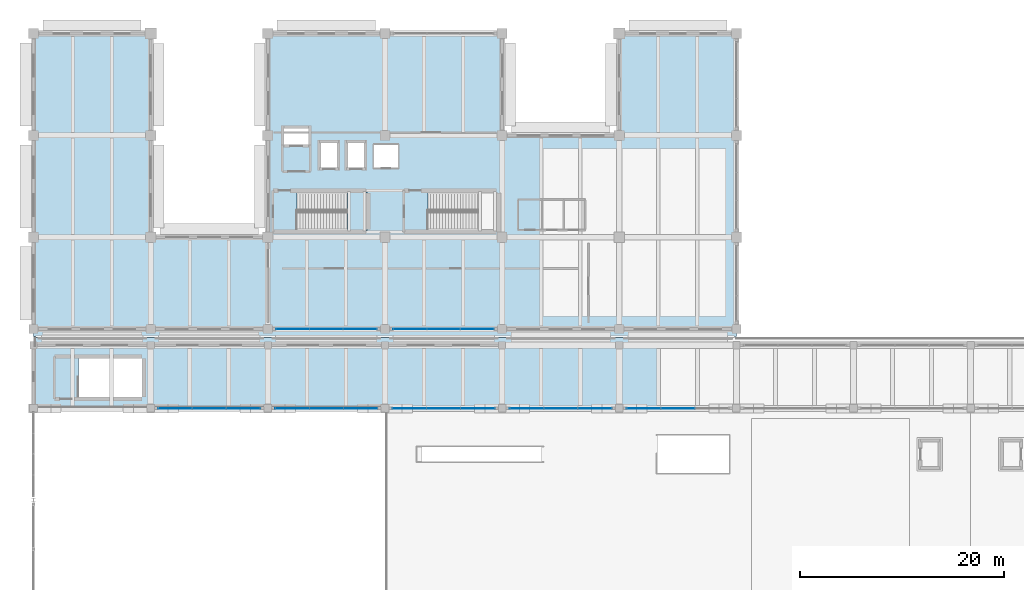
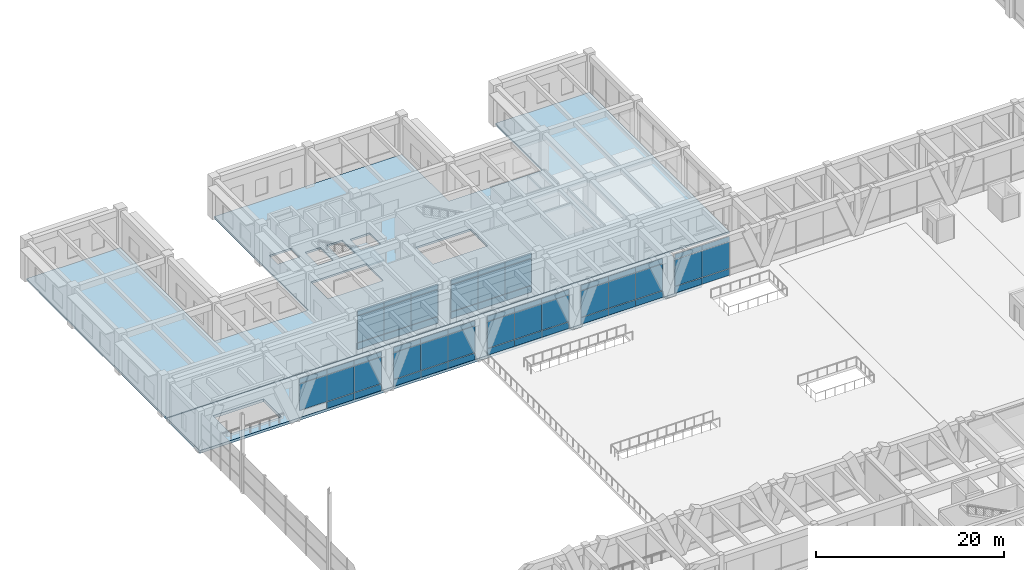
# One storey, part 117 of 148: 59 plates, 3 slabs, 8 elements without a shape of their own.
"""IFC4 building model written with IfcOpenShell, lengths in metres."""

from ifc_helpers import new_model, si_unit, direction, frame, origin, origin_2d, place, context, subcontext, project, spatial, polyline, rectangle, outline, extrude, material, layer, layer_set, type_object, element, aggregate, save


model = new_model("IFC4")

# Units and contexts
model_context = context("Model", 3, precision=1e-05, world=origin(), true_north=direction((0.0, 1.0)))
body_context = subcontext(model_context, "Body", "Model", "MODEL_VIEW")
ifc_project = project(units=[si_unit("LENGTHUNIT", "METRE"), si_unit("AREAUNIT", "SQUARE_METRE"), si_unit("VOLUMEUNIT", "CUBIC_METRE"), si_unit("PLANEANGLEUNIT", "RADIAN"), si_unit("MASSUNIT", "GRAM", prefix="KILO")], contexts=[model_context])

# Site, building, storey
site_placement = place(None, origin())
site = spatial("IfcSite", under=ifc_project, at=site_placement, CompositionType="ELEMENT")
building_placement = place(site_placement, origin())
building = spatial("IfcBuilding", under=site, at=building_placement, Name="Ologun Quay Terminus", CompositionType="ELEMENT")
storey_placement = place(building_placement, frame((0.0, 0.0, 8.39990234375)))
storey = spatial("IfcBuildingStorey", under=building, at=storey_placement, Name="L02", CompositionType="ELEMENT", Elevation=8.39990234375)

# Slab
ifc_material_1 = material(Name="Concrete C40/50", Category="concrete")
ifc_layer_1 = layer(ifc_material_1, 0.35009765625)
ifc_layer_set_1 = layer_set([ifc_layer_1], Name="Concrete C40/50")
slab_type_1 = type_object("IfcSlabType", Name="Elevated Concourse Deck Slab 350", PredefinedType="FLOOR", material=ifc_layer_set_1)
slab_1_placement = place(storey_placement, frame((0.0, 0.0, -0.349853515625)))
element("IfcSlab", 1, at=slab_1_placement, inside=storey, type_object=slab_type_1, Name="SL-CON North Concourse Courtyard Overlook Slab 1", PredefinedType="FLOOR", context=body_context, shape_type="SweptSolid", body=[
    extrude(outline(polyline([(0.0, 78.0), (61.5, 78.0), (61.5, 84.96240234375), (0.0, 84.96240234375), (0.0, 78.0)]), holes=[polyline([(4.429931640625, 79.10009765625), (4.429931640625, 82.89990234375), (10.64990234375, 82.89990234375), (10.64990234375, 79.10009765625), (4.429931640625, 79.10009765625)])]), origin(), (0.0, 0.0, 1.0), 0.349853515625),
])

# Curtain wall, plates
ifc_material_2 = material(Name="Aluminium 6063-T6", Category="aluminium")
curtain_wall_type_1 = type_object("IfcCurtainWallType", Name="Train Shed North Clerestory Curtain Wall 10700x4850", PredefinedType="USERDEFINED", material=ifc_material_2)
curtain_wall_1_placement = place(storey_placement, origin())
curtain_wall_1 = element("IfcCurtainWall", 2, at=curtain_wall_1_placement, inside=storey, type_object=curtain_wall_type_1, Name="CW-09 Curtain Wall CW-L02-047", ObjectType="UNITISED CURTAIN WALL", PredefinedType="USERDEFINED")
ifc_material_3 = material(Name="Aluminium 6063-T6", Category="aluminium")
ifc_layer_2 = layer(ifc_material_3, 0.050048828125)
ifc_layer_set_2 = layer_set([ifc_layer_2], Name="Aluminium 6063-T6")
plate_type_1 = type_object("IfcPlateType", Name="Insulated Aluminium Shadow-Box Spandrel 50", PredefinedType="CURTAIN_PANEL", material=ifc_layer_set_2)
plate_1_placement = place(storey_placement, frame((17.25, 78.0, 0.0302734375), z_axis=(0.0, 0.0, 1.0), x_axis=(1.0, 0.0, 0.0)))
plate_1 = element("IfcPlate", 3, at=plate_1_placement, type_object=plate_type_1, Name="CW-L02-047 Panel B2-1", PredefinedType="CURTAIN_PANEL", context=body_context, shape_type="SweptSolid", body=[
    extrude(rectangle(XDim=3.336669921875, YDim=0.050048828125, at=origin_2d()), origin(), (0.0, 0.0, 1.0), 0.840087890625),
])
plate_2_placement = place(storey_placement, frame((20.586669921875, 78.0, 0.0302734375), z_axis=(0.0, 0.0, 1.0), x_axis=(1.0, 0.0, 0.0)))
plate_2 = element("IfcPlate", 4, at=plate_2_placement, type_object=plate_type_1, Name="CW-L02-047 Panel B3-1", PredefinedType="CURTAIN_PANEL", context=body_context, shape_type="SweptSolid", body=[
    extrude(rectangle(XDim=3.336669921875, YDim=0.050048828125, at=origin_2d()), origin(), (0.0, 0.0, 1.0), 0.840087890625),
])

curtain_wall_2_placement = place(storey_placement, origin())
curtain_wall_2 = element("IfcCurtainWall", 5, at=curtain_wall_2_placement, inside=storey, type_object=curtain_wall_type_1, Name="CW-09 Curtain Wall CW-L02-049", ObjectType="UNITISED CURTAIN WALL", PredefinedType="USERDEFINED")
plate_3_placement = place(storey_placement, frame((25.413330078125, 78.0, 0.0302734375), z_axis=(0.0, 0.0, 1.0), x_axis=(1.0, 0.0, 0.0)))
plate_3 = element("IfcPlate", 6, at=plate_3_placement, type_object=plate_type_1, Name="CW-L02-049 Panel B1-1", PredefinedType="CURTAIN_PANEL", context=body_context, shape_type="SweptSolid", body=[
    extrude(rectangle(XDim=3.336669921875, YDim=0.050048828125, at=origin_2d()), origin(), (0.0, 0.0, 1.0), 0.840087890625),
])
plate_4_placement = place(storey_placement, frame((28.75, 78.0, 0.0302734375), z_axis=(0.0, 0.0, 1.0), x_axis=(1.0, 0.0, 0.0)))
plate_4 = element("IfcPlate", 7, at=plate_4_placement, type_object=plate_type_1, Name="CW-L02-049 Panel B2-1", PredefinedType="CURTAIN_PANEL", context=body_context, shape_type="SweptSolid", body=[
    extrude(rectangle(XDim=3.336669921875, YDim=0.050048828125, at=origin_2d()), origin(), (0.0, 0.0, 1.0), 0.840087890625),
])
plate_5_placement = place(storey_placement, frame((32.086669921875, 78.0, 0.0302734375), z_axis=(0.0, 0.0, 1.0), x_axis=(1.0, 0.0, 0.0)))
plate_5 = element("IfcPlate", 8, at=plate_5_placement, type_object=plate_type_1, Name="CW-L02-049 Panel B3-1", PredefinedType="CURTAIN_PANEL", context=body_context, shape_type="SweptSolid", body=[
    extrude(rectangle(XDim=3.336669921875, YDim=0.050048828125, at=origin_2d()), origin(), (0.0, 0.0, 1.0), 0.840087890625),
])

curtain_wall_3_placement = place(storey_placement, origin())
curtain_wall_3 = element("IfcCurtainWall", 9, at=curtain_wall_3_placement, inside=storey, type_object=curtain_wall_type_1, Name="CW-09 Curtain Wall CW-L02-051", ObjectType="UNITISED CURTAIN WALL", PredefinedType="USERDEFINED")
plate_6_placement = place(storey_placement, frame((36.913330078125, 78.0, 0.0302734375), z_axis=(0.0, 0.0, 1.0), x_axis=(1.0, 0.0, 0.0)))
plate_6 = element("IfcPlate", 10, at=plate_6_placement, type_object=plate_type_1, Name="CW-L02-051 Panel B1-1", PredefinedType="CURTAIN_PANEL", context=body_context, shape_type="SweptSolid", body=[
    extrude(rectangle(XDim=3.336669921875, YDim=0.050048828125, at=origin_2d()), origin(), (0.0, 0.0, 1.0), 0.840087890625),
])
plate_7_placement = place(storey_placement, frame((40.25, 78.0, 0.0302734375), z_axis=(0.0, 0.0, 1.0), x_axis=(1.0, 0.0, 0.0)))
plate_7 = element("IfcPlate", 11, at=plate_7_placement, type_object=plate_type_1, Name="CW-L02-051 Panel B2-1", PredefinedType="CURTAIN_PANEL", context=body_context, shape_type="SweptSolid", body=[
    extrude(rectangle(XDim=3.336669921875, YDim=0.050048828125, at=origin_2d()), origin(), (0.0, 0.0, 1.0), 0.840087890625),
])
plate_8_placement = place(storey_placement, frame((43.586669921875, 78.0, 0.0302734375), z_axis=(0.0, 0.0, 1.0), x_axis=(1.0, 0.0, 0.0)))
plate_8 = element("IfcPlate", 12, at=plate_8_placement, type_object=plate_type_1, Name="CW-L02-051 Panel B3-1", PredefinedType="CURTAIN_PANEL", context=body_context, shape_type="SweptSolid", body=[
    extrude(rectangle(XDim=3.336669921875, YDim=0.050048828125, at=origin_2d()), origin(), (0.0, 0.0, 1.0), 0.840087890625),
])

curtain_wall_4_placement = place(storey_placement, origin())
curtain_wall_4 = element("IfcCurtainWall", 13, at=curtain_wall_4_placement, inside=storey, type_object=curtain_wall_type_1, Name="CW-09 Curtain Wall CW-L02-053", ObjectType="UNITISED CURTAIN WALL", PredefinedType="USERDEFINED")
plate_9_placement = place(storey_placement, frame((48.413330078125, 78.0, 0.0302734375), z_axis=(0.0, 0.0, 1.0), x_axis=(1.0, 0.0, 0.0)))
plate_9 = element("IfcPlate", 14, at=plate_9_placement, type_object=plate_type_1, Name="CW-L02-053 Panel B1-1", PredefinedType="CURTAIN_PANEL", context=body_context, shape_type="SweptSolid", body=[
    extrude(rectangle(XDim=3.336669921875, YDim=0.050048828125, at=origin_2d()), origin(), (0.0, 0.0, 1.0), 0.840087890625),
])
plate_10_placement = place(storey_placement, frame((51.75, 78.0, 0.0302734375), z_axis=(0.0, 0.0, 1.0), x_axis=(1.0, 0.0, 0.0)))
plate_10 = element("IfcPlate", 15, at=plate_10_placement, type_object=plate_type_1, Name="CW-L02-053 Panel B2-1", PredefinedType="CURTAIN_PANEL", context=body_context, shape_type="SweptSolid", body=[
    extrude(rectangle(XDim=3.336669921875, YDim=0.050048828125, at=origin_2d()), origin(), (0.0, 0.0, 1.0), 0.840087890625),
])
plate_11_placement = place(storey_placement, frame((55.086669921875, 78.0, 0.0302734375), z_axis=(0.0, 0.0, 1.0), x_axis=(1.0, 0.0, 0.0)))
plate_11 = element("IfcPlate", 16, at=plate_11_placement, type_object=plate_type_1, Name="CW-L02-053 Panel B3-1", PredefinedType="CURTAIN_PANEL", context=body_context, shape_type="SweptSolid", body=[
    extrude(rectangle(XDim=3.336669921875, YDim=0.050048828125, at=origin_2d()), origin(), (0.0, 0.0, 1.0), 0.840087890625),
])

curtain_wall_5_placement = place(storey_placement, origin())
curtain_wall_5 = element("IfcCurtainWall", 17, at=curtain_wall_5_placement, inside=storey, type_object=curtain_wall_type_1, Name="CW-09 Curtain Wall CW-L02-055", ObjectType="UNITISED CURTAIN WALL", PredefinedType="USERDEFINED")
plate_12_placement = place(storey_placement, frame((59.913330078125, 78.0, 0.0302734375), z_axis=(0.0, 0.0, 1.0), x_axis=(1.0, 0.0, 0.0)))
plate_12 = element("IfcPlate", 18, at=plate_12_placement, type_object=plate_type_1, Name="CW-L02-055 Panel B1-1", PredefinedType="CURTAIN_PANEL", context=body_context, shape_type="SweptSolid", body=[
    extrude(rectangle(XDim=3.336669921875, YDim=0.050048828125, at=origin_2d()), origin(), (0.0, 0.0, 1.0), 0.840087890625),
])
plate_13_placement = place(storey_placement, frame((63.25, 78.0, 0.0302734375), z_axis=(0.0, 0.0, 1.0), x_axis=(1.0, 0.0, 0.0)))
plate_13 = element("IfcPlate", 19, at=plate_13_placement, type_object=plate_type_1, Name="CW-L02-055 Panel B2-1", PredefinedType="CURTAIN_PANEL", context=body_context, shape_type="SweptSolid", body=[
    extrude(rectangle(XDim=3.336669921875, YDim=0.050048828125, at=origin_2d()), origin(), (0.0, 0.0, 1.0), 0.840087890625),
])

ifc_material_4 = material(Name="Aluminium 6063-T6", Category="aluminium")
curtain_wall_type_2 = type_object("IfcCurtainWallType", Name="Waterfront Pavilion Harbour Curtain Wall L02 10500x5000", PredefinedType="USERDEFINED", material=ifc_material_4)
curtain_wall_6_placement = place(storey_placement, origin())
curtain_wall_6 = element("IfcCurtainWall", 20, at=curtain_wall_6_placement, inside=storey, type_object=curtain_wall_type_2, Name="CW-24 Curtain Wall CW-L02-103", ObjectType="UNITISED CURTAIN WALL", PredefinedType="USERDEFINED")
plate_14_placement = place(storey_placement, frame((25.46337890625, 85.800048828125, 0.0302734375), z_axis=(0.0, 0.0, 1.0), x_axis=(1.0, 0.0, 0.0)))
plate_14 = element("IfcPlate", 21, at=plate_14_placement, type_object=plate_type_1, Name="CW-L02-103 Panel B1-1", PredefinedType="CURTAIN_PANEL", context=body_context, shape_type="SweptSolid", body=[
    extrude(rectangle(XDim=3.28662109375, YDim=0.050048828125, at=origin_2d()), origin(), (0.0, 0.0, 1.0), 0.840087890625),
])
plate_15_placement = place(storey_placement, frame((28.75, 85.800048828125, 0.0302734375), z_axis=(0.0, 0.0, 1.0), x_axis=(1.0, 0.0, 0.0)))
plate_15 = element("IfcPlate", 22, at=plate_15_placement, type_object=plate_type_1, Name="CW-L02-103 Panel B2-1", PredefinedType="CURTAIN_PANEL", context=body_context, shape_type="SweptSolid", body=[
    extrude(rectangle(XDim=3.28662109375, YDim=0.050048828125, at=origin_2d()), origin(), (0.0, 0.0, 1.0), 0.840087890625),
])
plate_16_placement = place(storey_placement, frame((32.03662109375, 85.800048828125, 0.0302734375), z_axis=(0.0, 0.0, 1.0), x_axis=(1.0, 0.0, 0.0)))
plate_16 = element("IfcPlate", 23, at=plate_16_placement, type_object=plate_type_1, Name="CW-L02-103 Panel B3-1", PredefinedType="CURTAIN_PANEL", context=body_context, shape_type="SweptSolid", body=[
    extrude(rectangle(XDim=3.28662109375, YDim=0.050048828125, at=origin_2d()), origin(), (0.0, 0.0, 1.0), 0.840087890625),
])

curtain_wall_7_placement = place(storey_placement, origin())
curtain_wall_7 = element("IfcCurtainWall", 24, at=curtain_wall_7_placement, inside=storey, type_object=curtain_wall_type_2, Name="CW-24 Curtain Wall CW-L02-104", ObjectType="UNITISED CURTAIN WALL", PredefinedType="USERDEFINED")
plate_17_placement = place(storey_placement, frame((36.96337890625, 85.800048828125, 0.0302734375), z_axis=(0.0, 0.0, 1.0), x_axis=(1.0, 0.0, 0.0)))
plate_17 = element("IfcPlate", 25, at=plate_17_placement, type_object=plate_type_1, Name="CW-L02-104 Panel B1-1", PredefinedType="CURTAIN_PANEL", context=body_context, shape_type="SweptSolid", body=[
    extrude(rectangle(XDim=3.28662109375, YDim=0.050048828125, at=origin_2d()), origin(), (0.0, 0.0, 1.0), 0.840087890625),
])
plate_18_placement = place(storey_placement, frame((40.25, 85.800048828125, 0.0302734375), z_axis=(0.0, 0.0, 1.0), x_axis=(1.0, 0.0, 0.0)))
plate_18 = element("IfcPlate", 26, at=plate_18_placement, type_object=plate_type_1, Name="CW-L02-104 Panel B2-1", PredefinedType="CURTAIN_PANEL", context=body_context, shape_type="SweptSolid", body=[
    extrude(rectangle(XDim=3.28662109375, YDim=0.050048828125, at=origin_2d()), origin(), (0.0, 0.0, 1.0), 0.840087890625),
])
plate_19_placement = place(storey_placement, frame((43.53662109375, 85.800048828125, 0.0302734375), z_axis=(0.0, 0.0, 1.0), x_axis=(1.0, 0.0, 0.0)))
plate_19 = element("IfcPlate", 27, at=plate_19_placement, type_object=plate_type_1, Name="CW-L02-104 Panel B3-1", PredefinedType="CURTAIN_PANEL", context=body_context, shape_type="SweptSolid", body=[
    extrude(rectangle(XDim=3.28662109375, YDim=0.050048828125, at=origin_2d()), origin(), (0.0, 0.0, 1.0), 0.840087890625),
])

# Slab
ifc_material_5 = material(Name="Concrete C40/50", Category="concrete")
ifc_layer_3 = layer(ifc_material_5, 0.25)
ifc_layer_set_3 = layer_set([ifc_layer_3], Name="Concrete C40/50")
slab_type_2 = type_object("IfcSlabType", Name="North Wing Floor Slab 250", PredefinedType="FLOOR", material=ifc_layer_set_3)
slab_2_placement = place(storey_placement, frame((0.0, 0.0, -0.25)))
element("IfcSlab", 28, at=slab_2_placement, inside=storey, type_object=slab_type_2, Name="SL-TWR North Wing Floor Slab L02 WWNG", PredefinedType="FLOOR", context=body_context, shape_type="SweptSolid", body=[
    extrude(outline(polyline([(0.0, 85.03759765625), (69.0, 85.03759765625), (69.0, 114.800048828125), (57.5, 114.800048828125), (57.5, 104.800048828125), (46.0, 104.800048828125), (46.0, 114.800048828125), (23.0, 114.800048828125), (23.0, 94.800048828125), (11.5, 94.800048828125), (11.5, 114.800048828125), (0.0, 114.800048828125), (0.0, 85.03759765625)]), holes=[polyline([(24.449951171875, 103.780029296875), (24.449951171875, 105.6201171875), (27.14990234375, 105.6201171875), (27.14990234375, 103.780029296875), (24.449951171875, 103.780029296875)]), polyline([(28.050048828125, 101.5), (28.050048828125, 104.199951171875), (29.949951171875, 104.199951171875), (29.949951171875, 101.5), (28.050048828125, 101.5)]), polyline([(30.699951171875, 101.5), (30.699951171875, 104.199951171875), (32.60009765625, 104.199951171875), (32.60009765625, 101.5), (30.699951171875, 101.5)]), polyline([(25.8798828125, 95.550048828125), (25.8798828125, 99.14990234375), (32.64990234375, 99.14990234375), (32.64990234375, 95.550048828125), (25.8798828125, 95.550048828125)]), polyline([(38.72998046875, 95.550048828125), (38.72998046875, 99.14990234375), (45.449951171875, 99.14990234375), (45.449951171875, 95.550048828125), (38.72998046875, 95.550048828125)]), polyline([(33.39990234375, 101.60009765625), (33.39990234375, 103.89990234375), (35.800048828125, 103.89990234375), (35.800048828125, 101.60009765625), (33.39990234375, 101.60009765625)])]), origin(), (0.0, 0.0, 1.0), 0.25),
])

# Stair, slab
ifc_material_6 = material(Name="Concrete C40/50", Category="concrete")
stair_type = type_object("IfcStairType", Name="Courtyard Wing Concourse Core Stair 1700", PredefinedType="HALF_TURN_STAIR", material=ifc_material_6)
stair_placement = place(storey_placement, origin())
stair = element("IfcStair", 29, at=stair_placement, inside=storey, type_object=stair_type, Name="ST-W1 Stair L02", PredefinedType="HALF_TURN_STAIR")
ifc_material_7 = material(Name="Precast Concrete C40/50", Category="concrete")
ifc_layer_4 = layer(ifc_material_7, 0.179931640625)
ifc_layer_set_4 = layer_set([ifc_layer_4], Name="Precast Concrete C40/50")
slab_type_3 = type_object("IfcSlabType", Name="Precast Stair Half-Landing Slab 180", PredefinedType="LANDING", material=ifc_layer_set_4)
slab_3_placement = place(storey_placement, frame((0.0, 0.0, 2.52001953125)))
slab_3 = element("IfcSlab", 30, at=slab_3_placement, type_object=slab_type_3, Name="ST-W1 Half-Landing L02", PredefinedType="LANDING", context=body_context, shape_type="SweptSolid", body=[
    extrude(outline(polyline([(30.75, 95.469970703125), (32.72998046875, 95.469970703125), (32.72998046875, 99.22998046875), (30.75, 99.22998046875), (30.75, 95.469970703125)])), origin(), (0.0, 0.0, 1.0), 0.18017578125),
])
aggregate(stair, [slab_3])

# Plate
ifc_material_8 = material(Name="Glass", Category="glass")
ifc_layer_5 = layer(ifc_material_8, 0.028076171875)
ifc_layer_set_5 = layer_set([ifc_layer_5], Name="Glass")
plate_type_2 = type_object("IfcPlateType", Name="Solar-Control Double Glazed Panel 28", PredefinedType="CURTAIN_PANEL", material=ifc_layer_set_5)
plate_20_placement = place(storey_placement, frame((13.913330078125, 78.0, 0.93017578125), z_axis=(0.0, 0.0, 1.0), x_axis=(1.0, 0.0, 0.0)))
plate_20 = element("IfcPlate", 31, at=plate_20_placement, type_object=plate_type_2, Name="CW-L02-047 Panel B1-2", PredefinedType="CURTAIN_PANEL", context=body_context, shape_type="SweptSolid", body=[
    extrude(rectangle(XDim=3.336669921875, YDim=0.028076171875, at=origin_2d()), origin(), (0.0, 0.0, 1.0), 3.43994140625),
])

plate_21_placement = place(storey_placement, frame((13.913330078125, 78.0, 4.43017578125), z_axis=(0.0, 0.0, 1.0), x_axis=(1.0, 0.0, 0.0)))
plate_21 = element("IfcPlate", 32, at=plate_21_placement, type_object=plate_type_2, Name="CW-L02-047 Panel B1-3", PredefinedType="CURTAIN_PANEL", context=body_context, shape_type="SweptSolid", body=[
    extrude(rectangle(XDim=3.336669921875, YDim=0.028076171875, at=origin_2d()), origin(), (0.0, 0.0, 1.0), 0.639892578125),
])

plate_22_placement = place(storey_placement, frame((17.25, 78.0, 0.93017578125), z_axis=(0.0, 0.0, 1.0), x_axis=(1.0, 0.0, 0.0)))
plate_22 = element("IfcPlate", 33, at=plate_22_placement, type_object=plate_type_2, Name="CW-L02-047 Panel B2-2", PredefinedType="CURTAIN_PANEL", context=body_context, shape_type="SweptSolid", body=[
    extrude(rectangle(XDim=3.336669921875, YDim=0.028076171875, at=origin_2d()), origin(), (0.0, 0.0, 1.0), 3.43994140625),
])

plate_23_placement = place(storey_placement, frame((17.25, 78.0, 4.43017578125), z_axis=(0.0, 0.0, 1.0), x_axis=(1.0, 0.0, 0.0)))
plate_23 = element("IfcPlate", 34, at=plate_23_placement, type_object=plate_type_2, Name="CW-L02-047 Panel B2-3", PredefinedType="CURTAIN_PANEL", context=body_context, shape_type="SweptSolid", body=[
    extrude(rectangle(XDim=3.336669921875, YDim=0.028076171875, at=origin_2d()), origin(), (0.0, 0.0, 1.0), 0.639892578125),
])

plate_24_placement = place(storey_placement, frame((20.586669921875, 78.0, 0.93017578125), z_axis=(0.0, 0.0, 1.0), x_axis=(1.0, 0.0, 0.0)))
plate_24 = element("IfcPlate", 35, at=plate_24_placement, type_object=plate_type_2, Name="CW-L02-047 Panel B3-2", PredefinedType="CURTAIN_PANEL", context=body_context, shape_type="SweptSolid", body=[
    extrude(rectangle(XDim=3.336669921875, YDim=0.028076171875, at=origin_2d()), origin(), (0.0, 0.0, 1.0), 3.43994140625),
])

plate_25_placement = place(storey_placement, frame((20.586669921875, 78.0, 4.43017578125), z_axis=(0.0, 0.0, 1.0), x_axis=(1.0, 0.0, 0.0)))
plate_25 = element("IfcPlate", 36, at=plate_25_placement, type_object=plate_type_2, Name="CW-L02-047 Panel B3-3", PredefinedType="CURTAIN_PANEL", context=body_context, shape_type="SweptSolid", body=[
    extrude(rectangle(XDim=3.336669921875, YDim=0.028076171875, at=origin_2d()), origin(), (0.0, 0.0, 1.0), 0.639892578125),
])

aggregate(curtain_wall_1, [plate_20, plate_21, plate_1, plate_22, plate_23, plate_2, plate_24, plate_25])

plate_26_placement = place(storey_placement, frame((25.413330078125, 78.0, 0.93017578125), z_axis=(0.0, 0.0, 1.0), x_axis=(1.0, 0.0, 0.0)))
plate_26 = element("IfcPlate", 37, at=plate_26_placement, type_object=plate_type_2, Name="CW-L02-049 Panel B1-2", PredefinedType="CURTAIN_PANEL", context=body_context, shape_type="SweptSolid", body=[
    extrude(rectangle(XDim=3.336669921875, YDim=0.028076171875, at=origin_2d()), origin(), (0.0, 0.0, 1.0), 3.43994140625),
])

plate_27_placement = place(storey_placement, frame((25.413330078125, 78.0, 4.43017578125), z_axis=(0.0, 0.0, 1.0), x_axis=(1.0, 0.0, 0.0)))
plate_27 = element("IfcPlate", 38, at=plate_27_placement, type_object=plate_type_2, Name="CW-L02-049 Panel B1-3", PredefinedType="CURTAIN_PANEL", context=body_context, shape_type="SweptSolid", body=[
    extrude(rectangle(XDim=3.336669921875, YDim=0.028076171875, at=origin_2d()), origin(), (0.0, 0.0, 1.0), 0.639892578125),
])

plate_28_placement = place(storey_placement, frame((28.75, 78.0, 0.93017578125), z_axis=(0.0, 0.0, 1.0), x_axis=(1.0, 0.0, 0.0)))
plate_28 = element("IfcPlate", 39, at=plate_28_placement, type_object=plate_type_2, Name="CW-L02-049 Panel B2-2", PredefinedType="CURTAIN_PANEL", context=body_context, shape_type="SweptSolid", body=[
    extrude(rectangle(XDim=3.336669921875, YDim=0.028076171875, at=origin_2d()), origin(), (0.0, 0.0, 1.0), 3.43994140625),
])

plate_29_placement = place(storey_placement, frame((28.75, 78.0, 4.43017578125), z_axis=(0.0, 0.0, 1.0), x_axis=(1.0, 0.0, 0.0)))
plate_29 = element("IfcPlate", 40, at=plate_29_placement, type_object=plate_type_2, Name="CW-L02-049 Panel B2-3", PredefinedType="CURTAIN_PANEL", context=body_context, shape_type="SweptSolid", body=[
    extrude(rectangle(XDim=3.336669921875, YDim=0.028076171875, at=origin_2d()), origin(), (0.0, 0.0, 1.0), 0.639892578125),
])

plate_30_placement = place(storey_placement, frame((32.086669921875, 78.0, 0.93017578125), z_axis=(0.0, 0.0, 1.0), x_axis=(1.0, 0.0, 0.0)))
plate_30 = element("IfcPlate", 41, at=plate_30_placement, type_object=plate_type_2, Name="CW-L02-049 Panel B3-2", PredefinedType="CURTAIN_PANEL", context=body_context, shape_type="SweptSolid", body=[
    extrude(rectangle(XDim=3.336669921875, YDim=0.028076171875, at=origin_2d()), origin(), (0.0, 0.0, 1.0), 3.43994140625),
])

plate_31_placement = place(storey_placement, frame((32.086669921875, 78.0, 4.43017578125), z_axis=(0.0, 0.0, 1.0), x_axis=(1.0, 0.0, 0.0)))
plate_31 = element("IfcPlate", 42, at=plate_31_placement, type_object=plate_type_2, Name="CW-L02-049 Panel B3-3", PredefinedType="CURTAIN_PANEL", context=body_context, shape_type="SweptSolid", body=[
    extrude(rectangle(XDim=3.336669921875, YDim=0.028076171875, at=origin_2d()), origin(), (0.0, 0.0, 1.0), 0.639892578125),
])

aggregate(curtain_wall_2, [plate_3, plate_26, plate_27, plate_4, plate_28, plate_29, plate_5, plate_30, plate_31])

plate_32_placement = place(storey_placement, frame((36.913330078125, 78.0, 0.93017578125), z_axis=(0.0, 0.0, 1.0), x_axis=(1.0, 0.0, 0.0)))
plate_32 = element("IfcPlate", 43, at=plate_32_placement, type_object=plate_type_2, Name="CW-L02-051 Panel B1-2", PredefinedType="CURTAIN_PANEL", context=body_context, shape_type="SweptSolid", body=[
    extrude(rectangle(XDim=3.336669921875, YDim=0.028076171875, at=origin_2d()), origin(), (0.0, 0.0, 1.0), 3.43994140625),
])

plate_33_placement = place(storey_placement, frame((36.913330078125, 78.0, 4.43017578125), z_axis=(0.0, 0.0, 1.0), x_axis=(1.0, 0.0, 0.0)))
plate_33 = element("IfcPlate", 44, at=plate_33_placement, type_object=plate_type_2, Name="CW-L02-051 Panel B1-3", PredefinedType="CURTAIN_PANEL", context=body_context, shape_type="SweptSolid", body=[
    extrude(rectangle(XDim=3.336669921875, YDim=0.028076171875, at=origin_2d()), origin(), (0.0, 0.0, 1.0), 0.639892578125),
])

plate_34_placement = place(storey_placement, frame((40.25, 78.0, 0.93017578125), z_axis=(0.0, 0.0, 1.0), x_axis=(1.0, 0.0, 0.0)))
plate_34 = element("IfcPlate", 45, at=plate_34_placement, type_object=plate_type_2, Name="CW-L02-051 Panel B2-2", PredefinedType="CURTAIN_PANEL", context=body_context, shape_type="SweptSolid", body=[
    extrude(rectangle(XDim=3.336669921875, YDim=0.028076171875, at=origin_2d()), origin(), (0.0, 0.0, 1.0), 3.43994140625),
])

plate_35_placement = place(storey_placement, frame((40.25, 78.0, 4.43017578125), z_axis=(0.0, 0.0, 1.0), x_axis=(1.0, 0.0, 0.0)))
plate_35 = element("IfcPlate", 46, at=plate_35_placement, type_object=plate_type_2, Name="CW-L02-051 Panel B2-3", PredefinedType="CURTAIN_PANEL", context=body_context, shape_type="SweptSolid", body=[
    extrude(rectangle(XDim=3.336669921875, YDim=0.028076171875, at=origin_2d()), origin(), (0.0, 0.0, 1.0), 0.639892578125),
])

plate_36_placement = place(storey_placement, frame((43.586669921875, 78.0, 0.93017578125), z_axis=(0.0, 0.0, 1.0), x_axis=(1.0, 0.0, 0.0)))
plate_36 = element("IfcPlate", 47, at=plate_36_placement, type_object=plate_type_2, Name="CW-L02-051 Panel B3-2", PredefinedType="CURTAIN_PANEL", context=body_context, shape_type="SweptSolid", body=[
    extrude(rectangle(XDim=3.336669921875, YDim=0.028076171875, at=origin_2d()), origin(), (0.0, 0.0, 1.0), 3.43994140625),
])

plate_37_placement = place(storey_placement, frame((43.586669921875, 78.0, 4.43017578125), z_axis=(0.0, 0.0, 1.0), x_axis=(1.0, 0.0, 0.0)))
plate_37 = element("IfcPlate", 48, at=plate_37_placement, type_object=plate_type_2, Name="CW-L02-051 Panel B3-3", PredefinedType="CURTAIN_PANEL", context=body_context, shape_type="SweptSolid", body=[
    extrude(rectangle(XDim=3.336669921875, YDim=0.028076171875, at=origin_2d()), origin(), (0.0, 0.0, 1.0), 0.639892578125),
])

aggregate(curtain_wall_3, [plate_6, plate_32, plate_33, plate_7, plate_34, plate_35, plate_8, plate_36, plate_37])

plate_38_placement = place(storey_placement, frame((48.413330078125, 78.0, 0.93017578125), z_axis=(0.0, 0.0, 1.0), x_axis=(1.0, 0.0, 0.0)))
plate_38 = element("IfcPlate", 49, at=plate_38_placement, type_object=plate_type_2, Name="CW-L02-053 Panel B1-2", PredefinedType="CURTAIN_PANEL", context=body_context, shape_type="SweptSolid", body=[
    extrude(rectangle(XDim=3.336669921875, YDim=0.028076171875, at=origin_2d()), origin(), (0.0, 0.0, 1.0), 3.43994140625),
])

plate_39_placement = place(storey_placement, frame((48.413330078125, 78.0, 4.43017578125), z_axis=(0.0, 0.0, 1.0), x_axis=(1.0, 0.0, 0.0)))
plate_39 = element("IfcPlate", 50, at=plate_39_placement, type_object=plate_type_2, Name="CW-L02-053 Panel B1-3", PredefinedType="CURTAIN_PANEL", context=body_context, shape_type="SweptSolid", body=[
    extrude(rectangle(XDim=3.336669921875, YDim=0.028076171875, at=origin_2d()), origin(), (0.0, 0.0, 1.0), 0.639892578125),
])

plate_40_placement = place(storey_placement, frame((51.75, 78.0, 0.93017578125), z_axis=(0.0, 0.0, 1.0), x_axis=(1.0, 0.0, 0.0)))
plate_40 = element("IfcPlate", 51, at=plate_40_placement, type_object=plate_type_2, Name="CW-L02-053 Panel B2-2", PredefinedType="CURTAIN_PANEL", context=body_context, shape_type="SweptSolid", body=[
    extrude(rectangle(XDim=3.336669921875, YDim=0.028076171875, at=origin_2d()), origin(), (0.0, 0.0, 1.0), 3.43994140625),
])

plate_41_placement = place(storey_placement, frame((51.75, 78.0, 4.43017578125), z_axis=(0.0, 0.0, 1.0), x_axis=(1.0, 0.0, 0.0)))
plate_41 = element("IfcPlate", 52, at=plate_41_placement, type_object=plate_type_2, Name="CW-L02-053 Panel B2-3", PredefinedType="CURTAIN_PANEL", context=body_context, shape_type="SweptSolid", body=[
    extrude(rectangle(XDim=3.336669921875, YDim=0.028076171875, at=origin_2d()), origin(), (0.0, 0.0, 1.0), 0.639892578125),
])

plate_42_placement = place(storey_placement, frame((55.086669921875, 78.0, 0.93017578125), z_axis=(0.0, 0.0, 1.0), x_axis=(1.0, 0.0, 0.0)))
plate_42 = element("IfcPlate", 53, at=plate_42_placement, type_object=plate_type_2, Name="CW-L02-053 Panel B3-2", PredefinedType="CURTAIN_PANEL", context=body_context, shape_type="SweptSolid", body=[
    extrude(rectangle(XDim=3.336669921875, YDim=0.028076171875, at=origin_2d()), origin(), (0.0, 0.0, 1.0), 3.43994140625),
])

plate_43_placement = place(storey_placement, frame((55.086669921875, 78.0, 4.43017578125), z_axis=(0.0, 0.0, 1.0), x_axis=(1.0, 0.0, 0.0)))
plate_43 = element("IfcPlate", 54, at=plate_43_placement, type_object=plate_type_2, Name="CW-L02-053 Panel B3-3", PredefinedType="CURTAIN_PANEL", context=body_context, shape_type="SweptSolid", body=[
    extrude(rectangle(XDim=3.336669921875, YDim=0.028076171875, at=origin_2d()), origin(), (0.0, 0.0, 1.0), 0.639892578125),
])

aggregate(curtain_wall_4, [plate_9, plate_38, plate_39, plate_10, plate_40, plate_41, plate_11, plate_42, plate_43])

plate_44_placement = place(storey_placement, frame((59.913330078125, 78.0, 0.93017578125), z_axis=(0.0, 0.0, 1.0), x_axis=(1.0, 0.0, 0.0)))
plate_44 = element("IfcPlate", 55, at=plate_44_placement, type_object=plate_type_2, Name="CW-L02-055 Panel B1-2", PredefinedType="CURTAIN_PANEL", context=body_context, shape_type="SweptSolid", body=[
    extrude(rectangle(XDim=3.336669921875, YDim=0.028076171875, at=origin_2d()), origin(), (0.0, 0.0, 1.0), 3.43994140625),
])

plate_45_placement = place(storey_placement, frame((59.913330078125, 78.0, 4.43017578125), z_axis=(0.0, 0.0, 1.0), x_axis=(1.0, 0.0, 0.0)))
plate_45 = element("IfcPlate", 56, at=plate_45_placement, type_object=plate_type_2, Name="CW-L02-055 Panel B1-3", PredefinedType="CURTAIN_PANEL", context=body_context, shape_type="SweptSolid", body=[
    extrude(rectangle(XDim=3.336669921875, YDim=0.028076171875, at=origin_2d()), origin(), (0.0, 0.0, 1.0), 0.639892578125),
])

plate_46_placement = place(storey_placement, frame((63.25, 78.0, 0.93017578125), z_axis=(0.0, 0.0, 1.0), x_axis=(1.0, 0.0, 0.0)))
plate_46 = element("IfcPlate", 57, at=plate_46_placement, type_object=plate_type_2, Name="CW-L02-055 Panel B2-2", PredefinedType="CURTAIN_PANEL", context=body_context, shape_type="SweptSolid", body=[
    extrude(rectangle(XDim=3.336669921875, YDim=0.028076171875, at=origin_2d()), origin(), (0.0, 0.0, 1.0), 3.43994140625),
])

plate_47_placement = place(storey_placement, frame((63.25, 78.0, 4.43017578125), z_axis=(0.0, 0.0, 1.0), x_axis=(1.0, 0.0, 0.0)))
plate_47 = element("IfcPlate", 58, at=plate_47_placement, type_object=plate_type_2, Name="CW-L02-055 Panel B2-3", PredefinedType="CURTAIN_PANEL", context=body_context, shape_type="SweptSolid", body=[
    extrude(rectangle(XDim=3.336669921875, YDim=0.028076171875, at=origin_2d()), origin(), (0.0, 0.0, 1.0), 0.639892578125),
])

aggregate(curtain_wall_5, [plate_12, plate_44, plate_45, plate_13, plate_46, plate_47])

plate_48_placement = place(storey_placement, frame((25.46337890625, 85.800048828125, 0.93017578125), z_axis=(0.0, 0.0, 1.0), x_axis=(1.0, 0.0, 0.0)))
plate_48 = element("IfcPlate", 59, at=plate_48_placement, type_object=plate_type_2, Name="CW-L02-103 Panel B1-2", PredefinedType="CURTAIN_PANEL", context=body_context, shape_type="SweptSolid", body=[
    extrude(rectangle(XDim=3.28662109375, YDim=0.028076171875, at=origin_2d()), origin(), (0.0, 0.0, 1.0), 3.469970703125),
])

plate_49_placement = place(storey_placement, frame((25.46337890625, 85.800048828125, 4.4599609375), z_axis=(0.0, 0.0, 1.0), x_axis=(1.0, 0.0, 0.0)))
plate_49 = element("IfcPlate", 60, at=plate_49_placement, type_object=plate_type_2, Name="CW-L02-103 Panel B1-3", PredefinedType="CURTAIN_PANEL", context=body_context, shape_type="SweptSolid", body=[
    extrude(rectangle(XDim=3.28662109375, YDim=0.028076171875, at=origin_2d()), origin(), (0.0, 0.0, 1.0), 0.639892578125),
])

plate_50_placement = place(storey_placement, frame((28.75, 85.800048828125, 0.93017578125), z_axis=(0.0, 0.0, 1.0), x_axis=(1.0, 0.0, 0.0)))
plate_50 = element("IfcPlate", 61, at=plate_50_placement, type_object=plate_type_2, Name="CW-L02-103 Panel B2-2", PredefinedType="CURTAIN_PANEL", context=body_context, shape_type="SweptSolid", body=[
    extrude(rectangle(XDim=3.28662109375, YDim=0.028076171875, at=origin_2d()), origin(), (0.0, 0.0, 1.0), 3.469970703125),
])

plate_51_placement = place(storey_placement, frame((28.75, 85.800048828125, 4.4599609375), z_axis=(0.0, 0.0, 1.0), x_axis=(1.0, 0.0, 0.0)))
plate_51 = element("IfcPlate", 62, at=plate_51_placement, type_object=plate_type_2, Name="CW-L02-103 Panel B2-3", PredefinedType="CURTAIN_PANEL", context=body_context, shape_type="SweptSolid", body=[
    extrude(rectangle(XDim=3.28662109375, YDim=0.028076171875, at=origin_2d()), origin(), (0.0, 0.0, 1.0), 0.639892578125),
])

plate_52_placement = place(storey_placement, frame((32.03662109375, 85.800048828125, 0.93017578125), z_axis=(0.0, 0.0, 1.0), x_axis=(1.0, 0.0, 0.0)))
plate_52 = element("IfcPlate", 63, at=plate_52_placement, type_object=plate_type_2, Name="CW-L02-103 Panel B3-2", PredefinedType="CURTAIN_PANEL", context=body_context, shape_type="SweptSolid", body=[
    extrude(rectangle(XDim=3.28662109375, YDim=0.028076171875, at=origin_2d()), origin(), (0.0, 0.0, 1.0), 3.469970703125),
])

plate_53_placement = place(storey_placement, frame((32.03662109375, 85.800048828125, 4.4599609375), z_axis=(0.0, 0.0, 1.0), x_axis=(1.0, 0.0, 0.0)))
plate_53 = element("IfcPlate", 64, at=plate_53_placement, type_object=plate_type_2, Name="CW-L02-103 Panel B3-3", PredefinedType="CURTAIN_PANEL", context=body_context, shape_type="SweptSolid", body=[
    extrude(rectangle(XDim=3.28662109375, YDim=0.028076171875, at=origin_2d()), origin(), (0.0, 0.0, 1.0), 0.639892578125),
])

aggregate(curtain_wall_6, [plate_14, plate_48, plate_49, plate_15, plate_50, plate_51, plate_16, plate_52, plate_53])

plate_54_placement = place(storey_placement, frame((36.96337890625, 85.800048828125, 0.93017578125), z_axis=(0.0, 0.0, 1.0), x_axis=(1.0, 0.0, 0.0)))
plate_54 = element("IfcPlate", 65, at=plate_54_placement, type_object=plate_type_2, Name="CW-L02-104 Panel B1-2", PredefinedType="CURTAIN_PANEL", context=body_context, shape_type="SweptSolid", body=[
    extrude(rectangle(XDim=3.28662109375, YDim=0.028076171875, at=origin_2d()), origin(), (0.0, 0.0, 1.0), 3.469970703125),
])

plate_55_placement = place(storey_placement, frame((36.96337890625, 85.800048828125, 4.4599609375), z_axis=(0.0, 0.0, 1.0), x_axis=(1.0, 0.0, 0.0)))
plate_55 = element("IfcPlate", 66, at=plate_55_placement, type_object=plate_type_2, Name="CW-L02-104 Panel B1-3", PredefinedType="CURTAIN_PANEL", context=body_context, shape_type="SweptSolid", body=[
    extrude(rectangle(XDim=3.28662109375, YDim=0.028076171875, at=origin_2d()), origin(), (0.0, 0.0, 1.0), 0.639892578125),
])

plate_56_placement = place(storey_placement, frame((40.25, 85.800048828125, 0.93017578125), z_axis=(0.0, 0.0, 1.0), x_axis=(1.0, 0.0, 0.0)))
plate_56 = element("IfcPlate", 67, at=plate_56_placement, type_object=plate_type_2, Name="CW-L02-104 Panel B2-2", PredefinedType="CURTAIN_PANEL", context=body_context, shape_type="SweptSolid", body=[
    extrude(rectangle(XDim=3.28662109375, YDim=0.028076171875, at=origin_2d()), origin(), (0.0, 0.0, 1.0), 3.469970703125),
])

plate_57_placement = place(storey_placement, frame((40.25, 85.800048828125, 4.4599609375), z_axis=(0.0, 0.0, 1.0), x_axis=(1.0, 0.0, 0.0)))
plate_57 = element("IfcPlate", 68, at=plate_57_placement, type_object=plate_type_2, Name="CW-L02-104 Panel B2-3", PredefinedType="CURTAIN_PANEL", context=body_context, shape_type="SweptSolid", body=[
    extrude(rectangle(XDim=3.28662109375, YDim=0.028076171875, at=origin_2d()), origin(), (0.0, 0.0, 1.0), 0.639892578125),
])

plate_58_placement = place(storey_placement, frame((43.53662109375, 85.800048828125, 0.93017578125), z_axis=(0.0, 0.0, 1.0), x_axis=(1.0, 0.0, 0.0)))
plate_58 = element("IfcPlate", 69, at=plate_58_placement, type_object=plate_type_2, Name="CW-L02-104 Panel B3-2", PredefinedType="CURTAIN_PANEL", context=body_context, shape_type="SweptSolid", body=[
    extrude(rectangle(XDim=3.28662109375, YDim=0.028076171875, at=origin_2d()), origin(), (0.0, 0.0, 1.0), 3.469970703125),
])

plate_59_placement = place(storey_placement, frame((43.53662109375, 85.800048828125, 4.4599609375), z_axis=(0.0, 0.0, 1.0), x_axis=(1.0, 0.0, 0.0)))
plate_59 = element("IfcPlate", 70, at=plate_59_placement, type_object=plate_type_2, Name="CW-L02-104 Panel B3-3", PredefinedType="CURTAIN_PANEL", context=body_context, shape_type="SweptSolid", body=[
    extrude(rectangle(XDim=3.28662109375, YDim=0.028076171875, at=origin_2d()), origin(), (0.0, 0.0, 1.0), 0.639892578125),
])

aggregate(curtain_wall_7, [plate_17, plate_54, plate_55, plate_18, plate_56, plate_57, plate_19, plate_58, plate_59])

save(model, "model.ifc")
